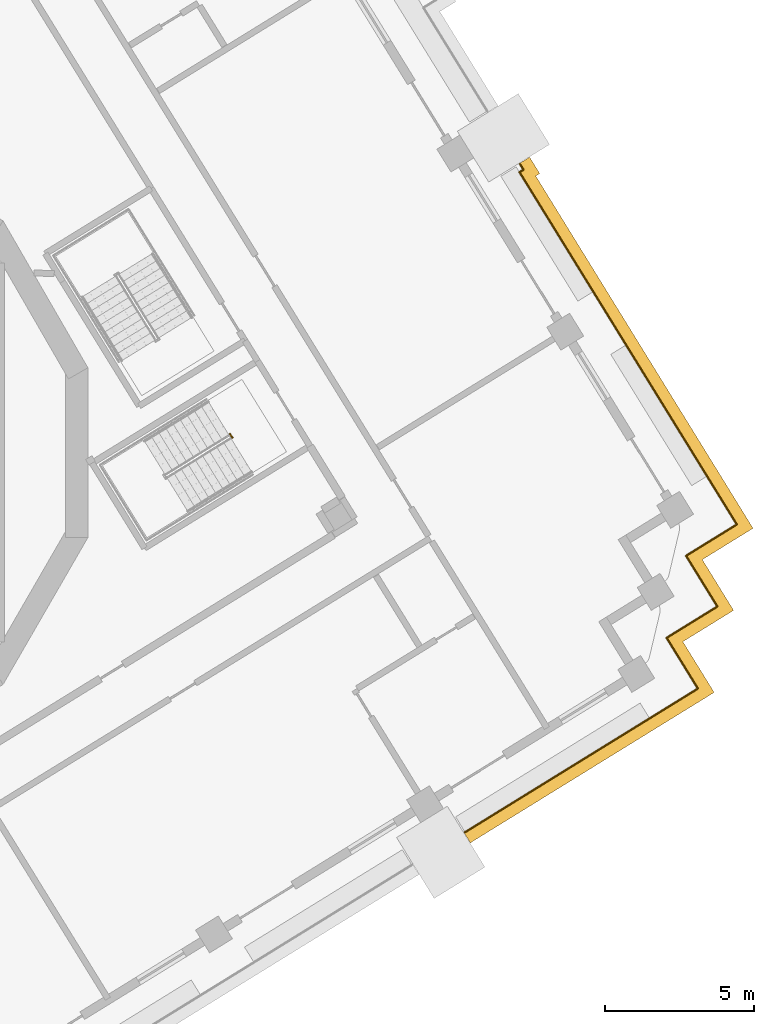
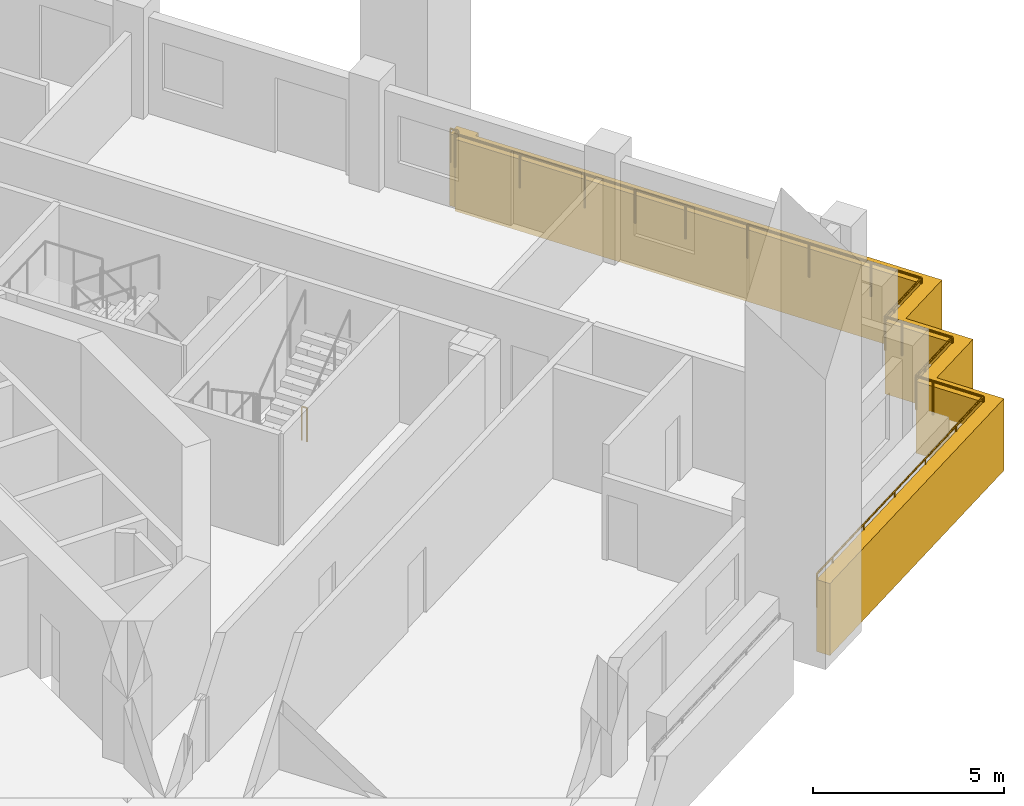
# One storey, part 15 of 19: 3 railings, 1 covering.
"""IFC4 building model written with IfcOpenShell, lengths in metres."""

from ifc_helpers import new_model, si_unit, direction, frame, origin, origin_2d, place, context, subcontext, project, spatial, polyline, circle, outline, extrude, material, type_object, element, save


model = new_model("IFC4")

# Units and contexts
model_context = context("Model", 3, precision=1e-05, world=origin(), true_north=direction((0.0, 1.0)))
body_context = subcontext(model_context, "Body", "Model", "MODEL_VIEW")
ifc_project = project(units=[si_unit("LENGTHUNIT", "METRE"), si_unit("AREAUNIT", "SQUARE_METRE"), si_unit("VOLUMEUNIT", "CUBIC_METRE"), si_unit("PLANEANGLEUNIT", "RADIAN"), si_unit("MASSUNIT", "GRAM", prefix="KILO")], contexts=[model_context])

# Site, building, storey
site_placement = place(None, origin())
site = spatial("IfcSite", under=ifc_project, at=site_placement, CompositionType="ELEMENT")
building_placement = place(site_placement, origin())
building = spatial("IfcBuilding", under=site, at=building_placement, Name="Cantera Rosa Tower", CompositionType="ELEMENT")
storey_placement = place(building_placement, frame((0.0, 0.0, 147.60009765625)))
storey = spatial("IfcBuildingStorey", under=building, at=storey_placement, Name="L31", CompositionType="ELEMENT", Elevation=147.60009765625)

# Railings
ifc_material_1 = material(Name="Stainless steel and laminated glass", Category="steel")
railing_type_1 = type_object("IfcRailingType", Name="GUARD 1100", PredefinedType="BALUSTRADE", material=ifc_material_1)
railing_1_placement = place(storey_placement, frame((30.03076171875, -6.208984375, 0.0)))
element("IfcRailing", 1, at=railing_1_placement, inside=storey, type_object=railing_type_1, Name="GUARD L31-10", PredefinedType="BALUSTRADE", context=body_context, shape_type="SweptSolid", body=[
    extrude(circle(Radius=0.030029296875, at=origin_2d()), frame((0.0, 0.0, 1.070068359375), z_axis=(0.52494176933, -0.851138143202, 0.0), x_axis=(0.851138143202, 0.52494176933, 0.0)), (0.0, 0.0, 1.0), 0.5),
    extrude(circle(Radius=0.030029296875, at=origin_2d()), frame((0.262451171875, -0.425537109375, 1.070068359375), z_axis=(0.524869051004, -0.85118298814, 0.0), x_axis=(0.85118298814, 0.524869051004, 0.0)), (0.0, 0.0, 1.0), 1.5),
    extrude(circle(Radius=0.030029296875, at=origin_2d()), frame((1.0498046875, -1.702392578125, 1.070068359375), z_axis=(-0.851138143202, -0.52494176933, 0.0), x_axis=(0.52494176933, -0.851138143202, 0.0)), (0.0, 0.0, 1.0), 1.5),
    extrude(circle(Radius=0.030029296875, at=origin_2d()), frame((-0.226806640625, -2.48974609375, 1.070068359375), z_axis=(-0.851120753703, -0.524969963537, 0.0), x_axis=(0.524969963537, -0.851120753703, 0.0)), (0.0, 0.0, 1.0), 6.820068359375),
    extrude(circle(Radius=0.030029296875, at=origin_2d()), frame((-6.031494140625, -6.070068359375, 1.070068359375), z_axis=(-0.851089370259, -0.525020841331, 0.0), x_axis=(0.525020841331, -0.851089370259, 0.0)), (0.0, 0.0, 1.0), 0.8701171875),
    extrude(circle(Radius=0.02490234375, at=origin_2d()), origin(), (0.0, 0.0, 1.0), 1.0400390625),
    extrude(circle(Radius=0.02490234375, at=origin_2d()), frame((0.262451171875, -0.425537109375, 0.0)), (0.0, 0.0, 1.0), 1.0400390625),
    extrude(circle(Radius=0.02490234375, at=origin_2d()), frame((1.0498046875, -1.702392578125, 0.0)), (0.0, 0.0, 1.0), 1.0400390625),
    extrude(circle(Radius=0.02490234375, at=origin_2d()), frame((-0.226806640625, -2.48974609375, 0.0)), (0.0, 0.0, 1.0), 1.0400390625),
    extrude(circle(Radius=0.02490234375, at=origin_2d()), frame((-1.677978515625, -3.384765625, 0.0)), (0.0, 0.0, 1.0), 1.0400390625),
    extrude(circle(Radius=0.02490234375, at=origin_2d()), frame((-3.129150390625, -4.27978515625, 0.0)), (0.0, 0.0, 1.0), 1.0400390625),
    extrude(circle(Radius=0.02490234375, at=origin_2d()), frame((-4.580322265625, -5.175048828125, 0.0)), (0.0, 0.0, 1.0), 1.0400390625),
    extrude(circle(Radius=0.02490234375, at=origin_2d()), frame((-6.031494140625, -6.070068359375, 0.0)), (0.0, 0.0, 1.0), 1.0400390625),
    extrude(circle(Radius=0.02490234375, at=origin_2d()), frame((-6.77197265625, -6.52685546875, 0.0)), (0.0, 0.0, 1.0), 1.0400390625),
])
railing_2_placement = place(storey_placement, frame((25.111328125, 9.684814453125, 0.0)))
element("IfcRailing", 2, at=railing_2_placement, inside=storey, type_object=railing_type_1, Name="GUARD L31-11", PredefinedType="BALUSTRADE", context=body_context, shape_type="SweptSolid", body=[
    extrude(circle(Radius=0.030029296875, at=origin_2d()), frame((0.0, 0.0, 1.070068359375), z_axis=(0.524277608227, -0.851547408846, 0.0), x_axis=(0.851547408846, 0.524277608227, 0.0)), (0.0, 0.0, 1.0), 0.226806640625),
    extrude(circle(Radius=0.030029296875, at=origin_2d()), frame((0.118896484375, -0.193115234375, 1.070068359375), z_axis=(-0.850961909884, -0.525227405917, 0.0), x_axis=(0.525227405917, -0.850961909884, 0.0)), (0.0, 0.0, 1.0), 0.15673828125),
    extrude(circle(Radius=0.030029296875, at=origin_2d()), frame((-0.014404296875, -0.275390625, 1.070068359375), z_axis=(0.524968061191, -0.851121927064, 0.0), x_axis=(0.851121927064, 0.524968061191, 0.0)), (0.0, 0.0, 1.0), 3.86328125),
    extrude(circle(Radius=0.030029296875, at=origin_2d()), frame((2.013671875, -3.5634765625, 1.070068359375), z_axis=(0.524964362564, -0.851124208349, 0.0), x_axis=(0.851124208349, 0.524964362564, 0.0)), (0.0, 0.0, 1.0), 3.0),
    extrude(circle(Radius=0.030029296875, at=origin_2d()), frame((3.588623046875, -6.116943359375, 1.070068359375), z_axis=(0.524968277683, -0.851121793533, 0.0), x_axis=(0.851121793533, 0.524968277683, 0.0)), (0.0, 0.0, 1.0), 5.519775390625),
    extrude(circle(Radius=0.030029296875, at=origin_2d()), frame((6.486328125, -10.81494140625, 1.070068359375), z_axis=(0.524986950369, -0.851110276017, 0.0), x_axis=(0.851110276017, 0.524986950369, 0.0)), (0.0, 0.0, 1.0), 1.500244140625),
    extrude(circle(Radius=0.030029296875, at=origin_2d()), frame((7.27392578125, -12.091796875, 1.070068359375), z_axis=(-0.85118298814, -0.524869051004, 0.0), x_axis=(0.524869051004, -0.85118298814, 0.0)), (0.0, 0.0, 1.0), 1.5),
    extrude(circle(Radius=0.030029296875, at=origin_2d()), frame((5.9970703125, -12.879150390625, 1.070068359375), z_axis=(-0.851138143202, -0.52494176933, 0.0), x_axis=(0.52494176933, -0.851138143202, 0.0)), (0.0, 0.0, 1.0), 0.5),
    extrude(circle(Radius=0.030029296875, at=origin_2d()), frame((5.571533203125, -13.1416015625, 1.070068359375), z_axis=(0.52494176933, -0.851138143202, 0.0), x_axis=(0.851138143202, 0.52494176933, 0.0)), (0.0, 0.0, 1.0), 0.5),
    extrude(circle(Radius=0.030029296875, at=origin_2d()), frame((5.833984375, -13.567138671875, 1.070068359375), z_axis=(0.524986950369, -0.851110276017, 0.0), x_axis=(0.851110276017, 0.524986950369, 0.0)), (0.0, 0.0, 1.0), 1.500244140625),
    extrude(circle(Radius=0.030029296875, at=origin_2d()), frame((6.62158203125, -14.843994140625, 1.070068359375), z_axis=(-0.851138143202, -0.52494176933, 0.0), x_axis=(0.52494176933, -0.851138143202, 0.0)), (0.0, 0.0, 1.0), 1.5),
    extrude(circle(Radius=0.030029296875, at=origin_2d()), frame((5.344970703125, -15.63134765625, 1.070068359375), z_axis=(-0.851138143202, -0.52494176933, 0.0), x_axis=(0.52494176933, -0.851138143202, 0.0)), (0.0, 0.0, 1.0), 0.5),
    extrude(circle(Radius=0.02490234375, at=origin_2d()), origin(), (0.0, 0.0, 1.0), 1.0400390625),
    extrude(circle(Radius=0.02490234375, at=origin_2d()), frame((0.118896484375, -0.193115234375, 0.0)), (0.0, 0.0, 1.0), 1.0400390625),
    extrude(circle(Radius=0.02490234375, at=origin_2d()), frame((-0.014404296875, -0.275390625, 0.0)), (0.0, 0.0, 1.0), 1.0400390625),
    extrude(circle(Radius=0.02490234375, at=origin_2d()), frame((0.99951171875, -1.91943359375, 0.0)), (0.0, 0.0, 1.0), 1.0400390625),
    extrude(circle(Radius=0.02490234375, at=origin_2d()), frame((2.013671875, -3.5634765625, 0.0)), (0.0, 0.0, 1.0), 1.0400390625),
    extrude(circle(Radius=0.02490234375, at=origin_2d()), frame((2.80126953125, -4.84033203125, 0.0)), (0.0, 0.0, 1.0), 1.0400390625),
    extrude(circle(Radius=0.02490234375, at=origin_2d()), frame((3.588623046875, -6.116943359375, 0.0)), (0.0, 0.0, 1.0), 1.0400390625),
    extrude(circle(Radius=0.02490234375, at=origin_2d()), frame((4.554443359375, -7.682861328125, 0.0)), (0.0, 0.0, 1.0), 1.0400390625),
    extrude(circle(Radius=0.02490234375, at=origin_2d()), frame((5.5205078125, -9.2490234375, 0.0)), (0.0, 0.0, 1.0), 1.0400390625),
    extrude(circle(Radius=0.02490234375, at=origin_2d()), frame((6.486328125, -10.81494140625, 0.0)), (0.0, 0.0, 1.0), 1.0400390625),
    extrude(circle(Radius=0.02490234375, at=origin_2d()), frame((7.27392578125, -12.091796875, 0.0)), (0.0, 0.0, 1.0), 1.0400390625),
    extrude(circle(Radius=0.02490234375, at=origin_2d()), frame((5.9970703125, -12.879150390625, 0.0)), (0.0, 0.0, 1.0), 1.0400390625),
    extrude(circle(Radius=0.02490234375, at=origin_2d()), frame((5.571533203125, -13.1416015625, 0.0)), (0.0, 0.0, 1.0), 1.0400390625),
    extrude(circle(Radius=0.02490234375, at=origin_2d()), frame((5.833984375, -13.567138671875, 0.0)), (0.0, 0.0, 1.0), 1.0400390625),
    extrude(circle(Radius=0.02490234375, at=origin_2d()), frame((6.62158203125, -14.843994140625, 0.0)), (0.0, 0.0, 1.0), 1.0400390625),
    extrude(circle(Radius=0.02490234375, at=origin_2d()), frame((5.344970703125, -15.63134765625, 0.0)), (0.0, 0.0, 1.0), 1.0400390625),
    extrude(circle(Radius=0.02490234375, at=origin_2d()), frame((4.91943359375, -15.893798828125, 0.0)), (0.0, 0.0, 1.0), 1.0400390625),
])
ifc_material_2 = material(Name="Steel S355J2 (EN 10025-2)", Category="steel")
railing_type_2 = type_object("IfcRailingType", Name="STAIR GUARD 1100", PredefinedType="GUARDRAIL", material=ifc_material_2)
railing_3_placement = place(storey_placement, frame((15.394775390625, 0.625, 0.0)))
element("IfcRailing", 3, at=railing_3_placement, inside=storey, type_object=railing_type_2, Name="L31 ST-34 stair guard 3", PredefinedType="GUARDRAIL", context=body_context, shape_type="SweptSolid", body=[
    extrude(circle(Radius=0.02392578125, at=origin_2d()), frame((0.0, 0.0, 1.076171875), z_axis=(0.524279100842, -0.851546489876, 0.0), x_axis=(0.851546489876, 0.524279100842, 0.0)), (0.0, 0.0, 1.0), 0.14990234375),
    extrude(circle(Radius=0.02099609375, at=origin_2d()), origin(), (0.0, 0.0, 1.0), 1.052001953125),
    extrude(circle(Radius=0.02099609375, at=origin_2d()), frame((0.07861328125, -0.127685546875, 0.0)), (0.0, 0.0, 1.0), 1.052001953125),
])

# Covering
ifc_material_3 = material(Name="Cantera stone", Category="masonry")
covering_type = type_object("IfcCoveringType", Name="TRAY FASCIA 400", PredefinedType="CLADDING", material=ifc_material_3)
covering_placement = place(storey_placement, frame((0.0, 0.0, -1.400146484375)))
element("IfcCovering", 4, at=covering_placement, inside=storey, type_object=covering_type, Name="TRAY FASCIA L31-08", PredefinedType="CLADDING", context=body_context, shape_type="SweptSolid", body=[
    extrude(outline(polyline([(25.78076171875, 9.361083984375), (25.647216796875, 9.27880859375), (27.46533203125, 6.331298828125), (29.040283203125, 3.77783203125), (31.938232421875, -0.920166015625), (32.935546875, -2.537353515625), (31.2333984375, -3.58740234375), (31.285888671875, -3.67236328125), (32.283447265625, -5.28955078125), (30.666259765625, -6.286865234375), (30.5810546875, -6.339599609375), (30.633544921875, -6.424560546875), (31.631103515625, -8.041748046875), (30.013916015625, -9.0390625), (24.209228515625, -12.61962890625), (23.451904296875, -13.086669921875), (23.241943359375, -12.746337890625), (23.999267578125, -12.279052734375), (29.803955078125, -8.69873046875), (31.08056640625, -7.911376953125), (30.293212890625, -6.634521484375), (30.03076171875, -6.208984375), (30.456298828125, -5.946533203125), (31.73291015625, -5.1591796875), (30.9453125, -3.88232421875), (30.682861328125, -3.456787109375), (31.1083984375, -3.1943359375), (32.38525390625, -2.406982421875), (31.59765625, -1.130126953125), (28.699951171875, 3.56787109375), (27.125, 6.121337890625), (25.096923828125, 9.409423828125), (25.230224609375, 9.49169921875), (25.100830078125, 9.70166015625), (25.441162109375, 9.91162109375), (25.78076171875, 9.361083984375)])), origin(), (0.0, 0.0, 1.0), 2.300048828125),
])

save(model, "model.ifc")
